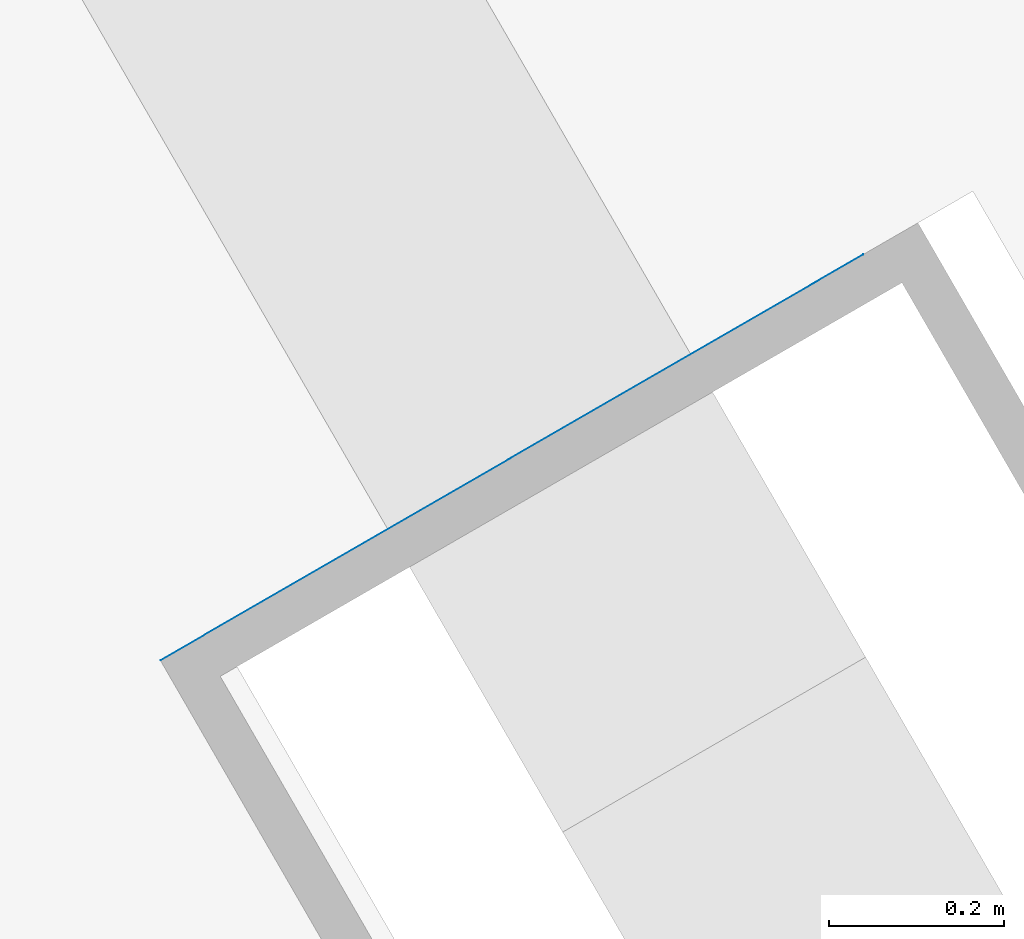
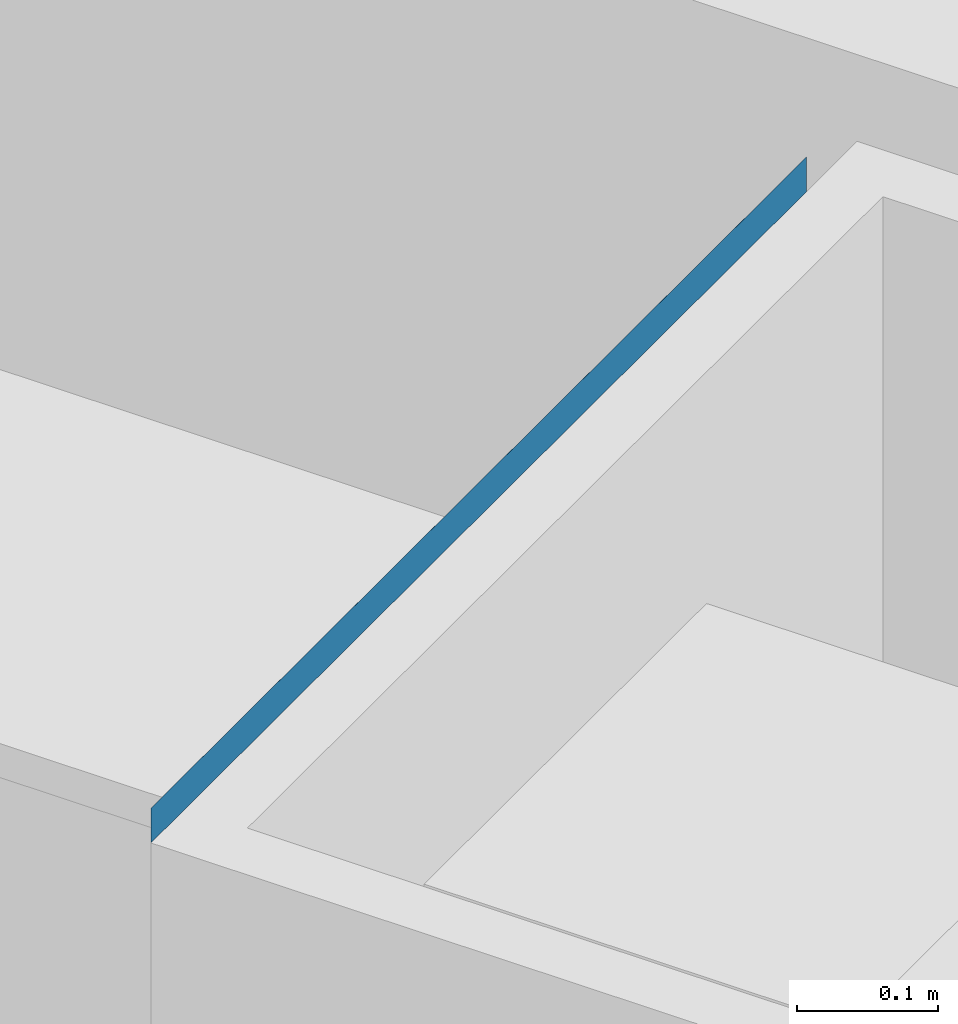
# One storey, part 4 of 14: 1 plate.
"""IFC4 building model written with IfcOpenShell, lengths in metres."""

from ifc_helpers import new_model, si_unit, direction, frame, origin, place, context, subcontext, project, spatial, polyline, outline, extrude, material, layer, layer_set, type_object, element, save


model = new_model("IFC4")

# Units and contexts
model_context = context("Model", 3, precision=1e-05, world=origin(), true_north=direction((0.0, 1.0)))
body_context = subcontext(model_context, "Body", "Model", "MODEL_VIEW")
ifc_project = project(units=[si_unit("LENGTHUNIT", "METRE"), si_unit("AREAUNIT", "SQUARE_METRE"), si_unit("VOLUMEUNIT", "CUBIC_METRE"), si_unit("PLANEANGLEUNIT", "RADIAN"), si_unit("MASSUNIT", "GRAM", prefix="KILO")], contexts=[model_context])

# Site, building, storey
site_placement = place(None, origin())
site = spatial("IfcSite", under=ifc_project, at=site_placement, CompositionType="ELEMENT")
building_placement = place(site_placement, origin())
building = spatial("IfcBuilding", under=site, at=building_placement, Name="Firuza Gate Tower and Library", CompositionType="ELEMENT")
storey_placement = place(building_placement, frame((0.0, 0.0, 151.300048828125)))
storey = spatial("IfcBuildingStorey", under=building, at=storey_placement, Name="L34", CompositionType="ELEMENT", Elevation=151.300048828125)

# Plate
ifc_material = material(Name="Steel S355", Category="steel")
ifc_layer = layer(ifc_material, 0.030029296875)
ifc_layer_set = layer_set([ifc_layer], Name="Column infill plate 30 Steel S355")
plate_type = type_object("IfcPlateType", Name="Column infill plate 30 Steel S355", PredefinedType="SHEET", material=ifc_layer_set)
plate_placement = place(storey_placement, frame((0.0, 0.0, 4.5)))
element("IfcPlate", 1, at=plate_placement, inside=storey, type_object=plate_type, Name="Infill plate L34:E3", PredefinedType="SHEET", context=body_context, shape_type="SweptSolid", body=[
    extrude(outline(polyline([(90.900146484375, 84.641845703125), (90.900146484375, 84.641845703125), (91.70361328125, 85.105712890625), (92.103515625, 84.412841796875), (92.166015625, 84.448974609375), (91.76611328125, 85.141845703125), (90.900146484375, 84.641845703125)])), origin(), (0.0, 0.0, 1.0), 0.030029296875),
])

save(model, "model.ifc")
